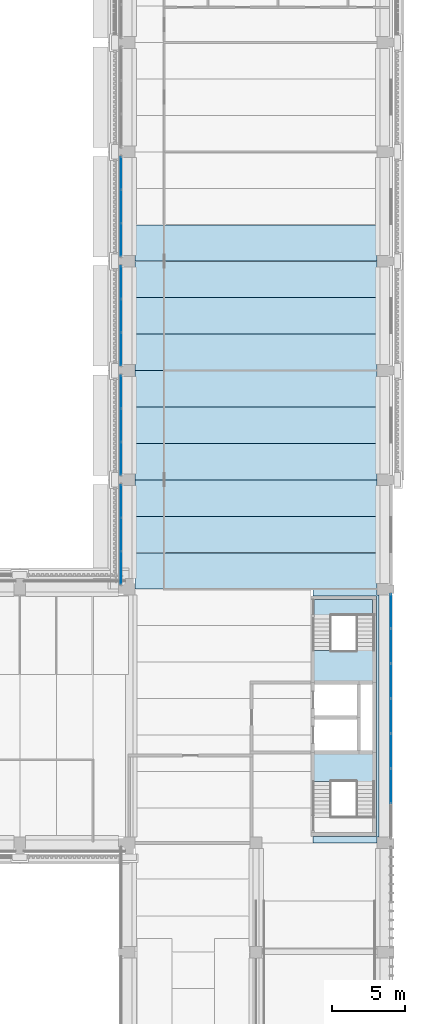
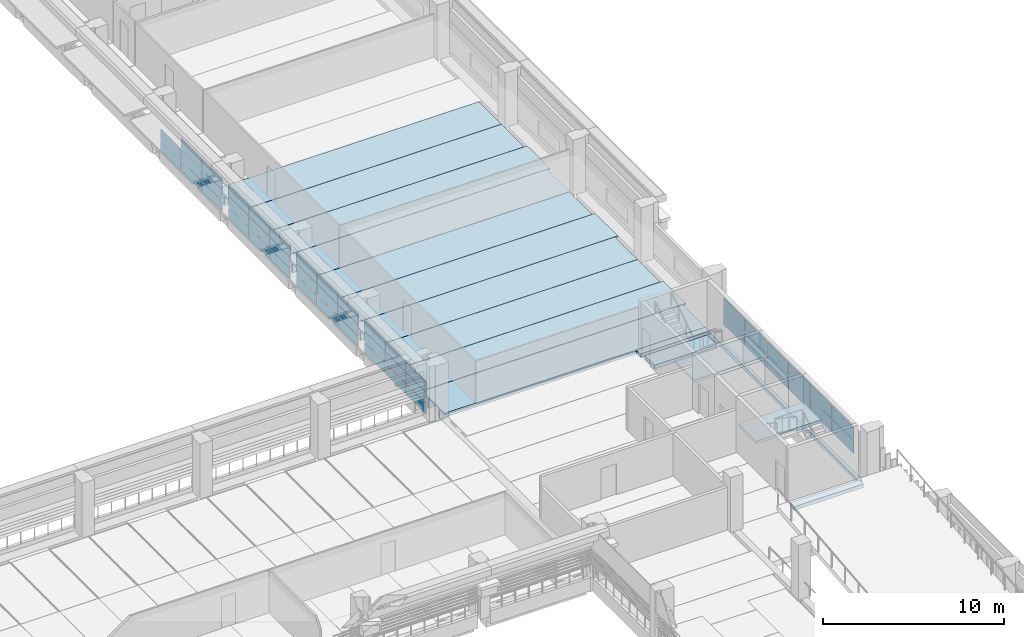
# One storey, part 28 of 71: 47 plates, 14 slabs, 7 elements without a shape of their own.
"""IFC4 building model written with IfcOpenShell, lengths in metres."""

from ifc_helpers import new_model, si_unit, direction, frame, origin, origin_2d, place, context, subcontext, project, spatial, polyline, rectangle, outline, extrude, material, layer, layer_set, material_profile, profile_set, type_object, element, aggregate, save


model = new_model("IFC4")

# Units and contexts
model_context = context("Model", 3, precision=1e-05, world=origin(), true_north=direction((0.0, 1.0)))
body_context = subcontext(model_context, "Body", "Model", "MODEL_VIEW")
ifc_project = project(units=[si_unit("LENGTHUNIT", "METRE"), si_unit("AREAUNIT", "SQUARE_METRE"), si_unit("VOLUMEUNIT", "CUBIC_METRE"), si_unit("PLANEANGLEUNIT", "RADIAN"), si_unit("MASSUNIT", "GRAM", prefix="KILO")], contexts=[model_context])

# Site, building, storey
site_placement = place(None, origin())
site = spatial("IfcSite", under=ifc_project, at=site_placement, CompositionType="ELEMENT")
building_placement = place(site_placement, origin())
building = spatial("IfcBuilding", under=site, at=building_placement, Name="Cour d'Honneur Mobility Palace", CompositionType="ELEMENT")
storey_placement = place(building_placement, frame((0.0, 0.0, 15.60009765625)))
storey = spatial("IfcBuildingStorey", under=building, at=storey_placement, Name="L04", CompositionType="ELEMENT", Elevation=15.60009765625)

# Slabs
ifc_material_1 = material(Name="Concrete C50", Category="concrete")
ifc_layer_1 = layer(ifc_material_1, 0.25)
ifc_layer_set_1 = layer_set([ifc_layer_1], Name="Concrete C50")
slab_type_1 = type_object("IfcSlabType", Name="Cast-in-place Slab 250", PredefinedType="FLOOR", material=ifc_layer_set_1)
slab_1_placement = place(storey_placement, frame((0.0, 0.0, -0.25)))
element("IfcSlab", 1, at=slab_1_placement, inside=storey, type_object=slab_type_1, Name="Cast-in-place slab S1 L04 core", PredefinedType="FLOOR", context=body_context, shape_type="SweptSolid", body=[
    extrude(outline(polyline([(161.89990234375, 62.0), (162.050048828125, 62.0), (162.050048828125, 45.39990234375), (161.89990234375, 45.39990234375), (161.89990234375, 45.0), (157.5, 45.0), (157.5, 45.449951171875), (161.85009765625, 45.449951171875), (161.85009765625, 61.949951171875), (157.5, 61.949951171875), (157.5, 62.39990234375), (161.89990234375, 62.39990234375), (161.89990234375, 62.0)])), origin(), (0.0, 0.0, 1.0), 0.25),
])
slab_2_placement = place(storey_placement, frame((0.0, 0.0, -0.25)))
element("IfcSlab", 2, at=slab_2_placement, inside=storey, type_object=slab_type_1, Name="Cast-in-place slab S1 L04 core", PredefinedType="FLOOR", context=body_context, shape_type="SweptSolid", body=[
    extrude(outline(polyline([(161.60009765625, 61.699951171875), (161.60009765625, 60.625), (157.625, 60.625), (157.625, 61.699951171875), (161.60009765625, 61.699951171875)])), origin(), (0.0, 0.0, 1.0), 0.25),
])

# Curtain wall, plates
ifc_material_2 = material(Name="Aluminium and glass", Category="aluminium")
ifc_layer_2 = layer(ifc_material_2, 0.10009765625)
ifc_layer_set_2 = layer_set([ifc_layer_2], Name="Aluminium and glass")
curtain_wall_type = type_object("IfcCurtainWallType", Name="Curtain wall run", PredefinedType="NOTDEFINED", material=ifc_layer_set_2)
curtain_wall_1_placement = place(storey_placement, origin())
curtain_wall_1 = element("IfcCurtainWall", 3, at=curtain_wall_1_placement, inside=storey, type_object=curtain_wall_type, Name="Curtain wall CW-68", PredefinedType="NOTDEFINED")
ifc_material_3 = material(Name="Double glazing", Category="glass")
ifc_layer_3 = layer(ifc_material_3, 0.028076171875)
ifc_layer_set_3 = layer_set([ifc_layer_3], Name="Double glazing")
plate_type = type_object("IfcPlateType", Name="Curtain wall panel", PredefinedType="CURTAIN_PANEL", material=ifc_layer_set_3)
plate_1_placement = place(storey_placement, frame((144.35009765625, 90.93505859375, 0.059814453125), z_axis=(0.0, 0.0, 1.0), x_axis=(0.0, -1.0, 0.0)))
plate_1 = element("IfcPlate", 4, at=plate_1_placement, type_object=plate_type, Name="CW-68 panel 1.1", PredefinedType="CURTAIN_PANEL", context=body_context, shape_type="SweptSolid", body=[
    extrude(rectangle(XDim=2.2099609375, YDim=0.028076171875, at=origin_2d()), origin(), (0.0, 0.0, 1.0), 0.6767578125),
])
plate_2_placement = place(storey_placement, frame((144.35009765625, 90.93505859375, 0.79638671875), z_axis=(0.0, 0.0, 1.0), x_axis=(0.0, -1.0, 0.0)))
plate_2 = element("IfcPlate", 5, at=plate_2_placement, type_object=plate_type, Name="CW-68 panel 1.2", PredefinedType="CURTAIN_PANEL", context=body_context, shape_type="SweptSolid", body=[
    extrude(rectangle(XDim=2.2099609375, YDim=0.028076171875, at=origin_2d()), origin(), (0.0, 0.0, 1.0), 0.706787109375),
])
plate_3_placement = place(storey_placement, frame((144.35009765625, 88.64990234375, 0.059814453125), z_axis=(0.0, 0.0, 1.0), x_axis=(0.0, -1.0, 0.0)))
plate_3 = element("IfcPlate", 6, at=plate_3_placement, type_object=plate_type, Name="CW-68 panel 2.1", PredefinedType="CURTAIN_PANEL", context=body_context, shape_type="SweptSolid", body=[
    extrude(rectangle(XDim=2.239990234375, YDim=0.028076171875, at=origin_2d()), origin(), (0.0, 0.0, 1.0), 0.6767578125),
])
plate_4_placement = place(storey_placement, frame((144.35009765625, 88.64990234375, 0.79638671875), z_axis=(0.0, 0.0, 1.0), x_axis=(0.0, -1.0, 0.0)))
plate_4 = element("IfcPlate", 7, at=plate_4_placement, type_object=plate_type, Name="CW-68 panel 2.2", PredefinedType="CURTAIN_PANEL", context=body_context, shape_type="SweptSolid", body=[
    extrude(rectangle(XDim=2.239990234375, YDim=0.028076171875, at=origin_2d()), origin(), (0.0, 0.0, 1.0), 0.706787109375),
])
plate_5_placement = place(storey_placement, frame((144.35009765625, 88.64990234375, 1.563232421875), z_axis=(0.0, 0.0, 1.0), x_axis=(0.0, -1.0, 0.0)))
plate_5 = element("IfcPlate", 8, at=plate_5_placement, type_object=plate_type, Name="CW-68 panel 2.3", PredefinedType="CURTAIN_PANEL", context=body_context, shape_type="SweptSolid", body=[
    extrude(rectangle(XDim=2.239990234375, YDim=0.028076171875, at=origin_2d()), origin(), (0.0, 0.0, 1.0), 0.6767578125),
])
plate_6_placement = place(storey_placement, frame((144.35009765625, 86.364990234375, 0.059814453125), z_axis=(0.0, 0.0, 1.0), x_axis=(0.0, -1.0, 0.0)))
plate_6 = element("IfcPlate", 9, at=plate_6_placement, type_object=plate_type, Name="CW-68 panel 3.1", PredefinedType="CURTAIN_PANEL", context=body_context, shape_type="SweptSolid", body=[
    extrude(rectangle(XDim=2.2099609375, YDim=0.028076171875, at=origin_2d()), origin(), (0.0, 0.0, 1.0), 0.6767578125),
])
plate_7_placement = place(storey_placement, frame((144.35009765625, 86.364990234375, 0.79638671875), z_axis=(0.0, 0.0, 1.0), x_axis=(0.0, -1.0, 0.0)))
plate_7 = element("IfcPlate", 10, at=plate_7_placement, type_object=plate_type, Name="CW-68 panel 3.2", PredefinedType="CURTAIN_PANEL", context=body_context, shape_type="SweptSolid", body=[
    extrude(rectangle(XDim=2.2099609375, YDim=0.028076171875, at=origin_2d()), origin(), (0.0, 0.0, 1.0), 0.706787109375),
])
plate_8_placement = place(storey_placement, frame((144.35009765625, 86.364990234375, 1.563232421875), z_axis=(0.0, 0.0, 1.0), x_axis=(0.0, -1.0, 0.0)))
plate_8 = element("IfcPlate", 11, at=plate_8_placement, type_object=plate_type, Name="CW-68 panel 3.3", PredefinedType="CURTAIN_PANEL", context=body_context, shape_type="SweptSolid", body=[
    extrude(rectangle(XDim=2.2099609375, YDim=0.028076171875, at=origin_2d()), origin(), (0.0, 0.0, 1.0), 0.6767578125),
])
aggregate(curtain_wall_1, [plate_1, plate_2, plate_3, plate_4, plate_5, plate_6, plate_7, plate_8])

curtain_wall_2_placement = place(storey_placement, origin())
curtain_wall_2 = element("IfcCurtainWall", 12, at=curtain_wall_2_placement, inside=storey, type_object=curtain_wall_type, Name="Curtain wall CW-69", PredefinedType="NOTDEFINED")
plate_9_placement = place(storey_placement, frame((144.35009765625, 83.43505859375, 0.059814453125), z_axis=(0.0, 0.0, 1.0), x_axis=(0.0, -1.0, 0.0)))
plate_9 = element("IfcPlate", 13, at=plate_9_placement, type_object=plate_type, Name="CW-69 panel 1.1", PredefinedType="CURTAIN_PANEL", context=body_context, shape_type="SweptSolid", body=[
    extrude(rectangle(XDim=2.2099609375, YDim=0.028076171875, at=origin_2d()), origin(), (0.0, 0.0, 1.0), 0.6767578125),
])
plate_10_placement = place(storey_placement, frame((144.35009765625, 83.43505859375, 0.79638671875), z_axis=(0.0, 0.0, 1.0), x_axis=(0.0, -1.0, 0.0)))
plate_10 = element("IfcPlate", 14, at=plate_10_placement, type_object=plate_type, Name="CW-69 panel 1.2", PredefinedType="CURTAIN_PANEL", context=body_context, shape_type="SweptSolid", body=[
    extrude(rectangle(XDim=2.2099609375, YDim=0.028076171875, at=origin_2d()), origin(), (0.0, 0.0, 1.0), 0.706787109375),
])
plate_11_placement = place(storey_placement, frame((144.35009765625, 83.43505859375, 1.563232421875), z_axis=(0.0, 0.0, 1.0), x_axis=(0.0, -1.0, 0.0)))
plate_11 = element("IfcPlate", 15, at=plate_11_placement, type_object=plate_type, Name="CW-69 panel 1.3", PredefinedType="CURTAIN_PANEL", context=body_context, shape_type="SweptSolid", body=[
    extrude(rectangle(XDim=2.2099609375, YDim=0.028076171875, at=origin_2d()), origin(), (0.0, 0.0, 1.0), 0.6767578125),
])
plate_12_placement = place(storey_placement, frame((144.35009765625, 81.14990234375, 0.059814453125), z_axis=(0.0, 0.0, 1.0), x_axis=(0.0, -1.0, 0.0)))
plate_12 = element("IfcPlate", 16, at=plate_12_placement, type_object=plate_type, Name="CW-69 panel 2.1", PredefinedType="CURTAIN_PANEL", context=body_context, shape_type="SweptSolid", body=[
    extrude(rectangle(XDim=2.239990234375, YDim=0.028076171875, at=origin_2d()), origin(), (0.0, 0.0, 1.0), 0.6767578125),
])
plate_13_placement = place(storey_placement, frame((144.35009765625, 81.14990234375, 0.79638671875), z_axis=(0.0, 0.0, 1.0), x_axis=(0.0, -1.0, 0.0)))
plate_13 = element("IfcPlate", 17, at=plate_13_placement, type_object=plate_type, Name="CW-69 panel 2.2", PredefinedType="CURTAIN_PANEL", context=body_context, shape_type="SweptSolid", body=[
    extrude(rectangle(XDim=2.239990234375, YDim=0.028076171875, at=origin_2d()), origin(), (0.0, 0.0, 1.0), 0.706787109375),
])
plate_14_placement = place(storey_placement, frame((144.35009765625, 81.14990234375, 1.563232421875), z_axis=(0.0, 0.0, 1.0), x_axis=(0.0, -1.0, 0.0)))
plate_14 = element("IfcPlate", 18, at=plate_14_placement, type_object=plate_type, Name="CW-69 panel 2.3", PredefinedType="CURTAIN_PANEL", context=body_context, shape_type="SweptSolid", body=[
    extrude(rectangle(XDim=2.239990234375, YDim=0.028076171875, at=origin_2d()), origin(), (0.0, 0.0, 1.0), 0.6767578125),
])
plate_15_placement = place(storey_placement, frame((144.35009765625, 78.864990234375, 0.059814453125), z_axis=(0.0, 0.0, 1.0), x_axis=(0.0, -1.0, 0.0)))
plate_15 = element("IfcPlate", 19, at=plate_15_placement, type_object=plate_type, Name="CW-69 panel 3.1", PredefinedType="CURTAIN_PANEL", context=body_context, shape_type="SweptSolid", body=[
    extrude(rectangle(XDim=2.2099609375, YDim=0.028076171875, at=origin_2d()), origin(), (0.0, 0.0, 1.0), 0.6767578125),
])
plate_16_placement = place(storey_placement, frame((144.35009765625, 78.864990234375, 0.79638671875), z_axis=(0.0, 0.0, 1.0), x_axis=(0.0, -1.0, 0.0)))
plate_16 = element("IfcPlate", 20, at=plate_16_placement, type_object=plate_type, Name="CW-69 panel 3.2", PredefinedType="CURTAIN_PANEL", context=body_context, shape_type="SweptSolid", body=[
    extrude(rectangle(XDim=2.2099609375, YDim=0.028076171875, at=origin_2d()), origin(), (0.0, 0.0, 1.0), 0.706787109375),
])
plate_17_placement = place(storey_placement, frame((144.35009765625, 78.864990234375, 1.563232421875), z_axis=(0.0, 0.0, 1.0), x_axis=(0.0, -1.0, 0.0)))
plate_17 = element("IfcPlate", 21, at=plate_17_placement, type_object=plate_type, Name="CW-69 panel 3.3", PredefinedType="CURTAIN_PANEL", context=body_context, shape_type="SweptSolid", body=[
    extrude(rectangle(XDim=2.2099609375, YDim=0.028076171875, at=origin_2d()), origin(), (0.0, 0.0, 1.0), 0.6767578125),
])
aggregate(curtain_wall_2, [plate_9, plate_10, plate_11, plate_12, plate_13, plate_14, plate_15, plate_16, plate_17])

curtain_wall_3_placement = place(storey_placement, origin())
curtain_wall_3 = element("IfcCurtainWall", 22, at=curtain_wall_3_placement, inside=storey, type_object=curtain_wall_type, Name="Curtain wall CW-70", PredefinedType="NOTDEFINED")
plate_18_placement = place(storey_placement, frame((144.35009765625, 75.93505859375, 0.059814453125), z_axis=(0.0, 0.0, 1.0), x_axis=(0.0, -1.0, 0.0)))
plate_18 = element("IfcPlate", 23, at=plate_18_placement, type_object=plate_type, Name="CW-70 panel 1.1", PredefinedType="CURTAIN_PANEL", context=body_context, shape_type="SweptSolid", body=[
    extrude(rectangle(XDim=2.2099609375, YDim=0.028076171875, at=origin_2d()), origin(), (0.0, 0.0, 1.0), 0.6767578125),
])
plate_19_placement = place(storey_placement, frame((144.35009765625, 75.93505859375, 0.79638671875), z_axis=(0.0, 0.0, 1.0), x_axis=(0.0, -1.0, 0.0)))
plate_19 = element("IfcPlate", 24, at=plate_19_placement, type_object=plate_type, Name="CW-70 panel 1.2", PredefinedType="CURTAIN_PANEL", context=body_context, shape_type="SweptSolid", body=[
    extrude(rectangle(XDim=2.2099609375, YDim=0.028076171875, at=origin_2d()), origin(), (0.0, 0.0, 1.0), 0.706787109375),
])
plate_20_placement = place(storey_placement, frame((144.35009765625, 75.93505859375, 1.563232421875), z_axis=(0.0, 0.0, 1.0), x_axis=(0.0, -1.0, 0.0)))
plate_20 = element("IfcPlate", 25, at=plate_20_placement, type_object=plate_type, Name="CW-70 panel 1.3", PredefinedType="CURTAIN_PANEL", context=body_context, shape_type="SweptSolid", body=[
    extrude(rectangle(XDim=2.2099609375, YDim=0.028076171875, at=origin_2d()), origin(), (0.0, 0.0, 1.0), 0.6767578125),
])
plate_21_placement = place(storey_placement, frame((144.35009765625, 73.64990234375, 0.059814453125), z_axis=(0.0, 0.0, 1.0), x_axis=(0.0, -1.0, 0.0)))
plate_21 = element("IfcPlate", 26, at=plate_21_placement, type_object=plate_type, Name="CW-70 panel 2.1", PredefinedType="CURTAIN_PANEL", context=body_context, shape_type="SweptSolid", body=[
    extrude(rectangle(XDim=2.239990234375, YDim=0.028076171875, at=origin_2d()), origin(), (0.0, 0.0, 1.0), 0.6767578125),
])
plate_22_placement = place(storey_placement, frame((144.35009765625, 73.64990234375, 0.79638671875), z_axis=(0.0, 0.0, 1.0), x_axis=(0.0, -1.0, 0.0)))
plate_22 = element("IfcPlate", 27, at=plate_22_placement, type_object=plate_type, Name="CW-70 panel 2.2", PredefinedType="CURTAIN_PANEL", context=body_context, shape_type="SweptSolid", body=[
    extrude(rectangle(XDim=2.239990234375, YDim=0.028076171875, at=origin_2d()), origin(), (0.0, 0.0, 1.0), 0.706787109375),
])
plate_23_placement = place(storey_placement, frame((144.35009765625, 73.64990234375, 1.563232421875), z_axis=(0.0, 0.0, 1.0), x_axis=(0.0, -1.0, 0.0)))
plate_23 = element("IfcPlate", 28, at=plate_23_placement, type_object=plate_type, Name="CW-70 panel 2.3", PredefinedType="CURTAIN_PANEL", context=body_context, shape_type="SweptSolid", body=[
    extrude(rectangle(XDim=2.239990234375, YDim=0.028076171875, at=origin_2d()), origin(), (0.0, 0.0, 1.0), 0.6767578125),
])
plate_24_placement = place(storey_placement, frame((144.35009765625, 71.364990234375, 0.059814453125), z_axis=(0.0, 0.0, 1.0), x_axis=(0.0, -1.0, 0.0)))
plate_24 = element("IfcPlate", 29, at=plate_24_placement, type_object=plate_type, Name="CW-70 panel 3.1", PredefinedType="CURTAIN_PANEL", context=body_context, shape_type="SweptSolid", body=[
    extrude(rectangle(XDim=2.2099609375, YDim=0.028076171875, at=origin_2d()), origin(), (0.0, 0.0, 1.0), 0.6767578125),
])
plate_25_placement = place(storey_placement, frame((144.35009765625, 71.364990234375, 0.79638671875), z_axis=(0.0, 0.0, 1.0), x_axis=(0.0, -1.0, 0.0)))
plate_25 = element("IfcPlate", 30, at=plate_25_placement, type_object=plate_type, Name="CW-70 panel 3.2", PredefinedType="CURTAIN_PANEL", context=body_context, shape_type="SweptSolid", body=[
    extrude(rectangle(XDim=2.2099609375, YDim=0.028076171875, at=origin_2d()), origin(), (0.0, 0.0, 1.0), 0.706787109375),
])
plate_26_placement = place(storey_placement, frame((144.35009765625, 71.364990234375, 1.563232421875), z_axis=(0.0, 0.0, 1.0), x_axis=(0.0, -1.0, 0.0)))
plate_26 = element("IfcPlate", 31, at=plate_26_placement, type_object=plate_type, Name="CW-70 panel 3.3", PredefinedType="CURTAIN_PANEL", context=body_context, shape_type="SweptSolid", body=[
    extrude(rectangle(XDim=2.2099609375, YDim=0.028076171875, at=origin_2d()), origin(), (0.0, 0.0, 1.0), 0.6767578125),
])
aggregate(curtain_wall_3, [plate_18, plate_19, plate_20, plate_21, plate_22, plate_23, plate_24, plate_25, plate_26])

curtain_wall_4_placement = place(storey_placement, origin())
curtain_wall_4 = element("IfcCurtainWall", 32, at=curtain_wall_4_placement, inside=storey, type_object=curtain_wall_type, Name="Curtain wall CW-71", PredefinedType="NOTDEFINED")
plate_27_placement = place(storey_placement, frame((144.35009765625, 68.43505859375, 0.059814453125), z_axis=(0.0, 0.0, 1.0), x_axis=(0.0, -1.0, 0.0)))
plate_27 = element("IfcPlate", 33, at=plate_27_placement, type_object=plate_type, Name="CW-71 panel 1.1", PredefinedType="CURTAIN_PANEL", context=body_context, shape_type="SweptSolid", body=[
    extrude(rectangle(XDim=2.2099609375, YDim=0.028076171875, at=origin_2d()), origin(), (0.0, 0.0, 1.0), 0.6767578125),
])
plate_28_placement = place(storey_placement, frame((144.35009765625, 68.43505859375, 0.79638671875), z_axis=(0.0, 0.0, 1.0), x_axis=(0.0, -1.0, 0.0)))
plate_28 = element("IfcPlate", 34, at=plate_28_placement, type_object=plate_type, Name="CW-71 panel 1.2", PredefinedType="CURTAIN_PANEL", context=body_context, shape_type="SweptSolid", body=[
    extrude(rectangle(XDim=2.2099609375, YDim=0.028076171875, at=origin_2d()), origin(), (0.0, 0.0, 1.0), 0.706787109375),
])
plate_29_placement = place(storey_placement, frame((144.35009765625, 68.43505859375, 1.563232421875), z_axis=(0.0, 0.0, 1.0), x_axis=(0.0, -1.0, 0.0)))
plate_29 = element("IfcPlate", 35, at=plate_29_placement, type_object=plate_type, Name="CW-71 panel 1.3", PredefinedType="CURTAIN_PANEL", context=body_context, shape_type="SweptSolid", body=[
    extrude(rectangle(XDim=2.2099609375, YDim=0.028076171875, at=origin_2d()), origin(), (0.0, 0.0, 1.0), 0.6767578125),
])
plate_30_placement = place(storey_placement, frame((144.35009765625, 66.14990234375, 0.059814453125), z_axis=(0.0, 0.0, 1.0), x_axis=(0.0, -1.0, 0.0)))
plate_30 = element("IfcPlate", 36, at=plate_30_placement, type_object=plate_type, Name="CW-71 panel 2.1", PredefinedType="CURTAIN_PANEL", context=body_context, shape_type="SweptSolid", body=[
    extrude(rectangle(XDim=2.239990234375, YDim=0.028076171875, at=origin_2d()), origin(), (0.0, 0.0, 1.0), 0.6767578125),
])
plate_31_placement = place(storey_placement, frame((144.35009765625, 66.14990234375, 0.79638671875), z_axis=(0.0, 0.0, 1.0), x_axis=(0.0, -1.0, 0.0)))
plate_31 = element("IfcPlate", 37, at=plate_31_placement, type_object=plate_type, Name="CW-71 panel 2.2", PredefinedType="CURTAIN_PANEL", context=body_context, shape_type="SweptSolid", body=[
    extrude(rectangle(XDim=2.239990234375, YDim=0.028076171875, at=origin_2d()), origin(), (0.0, 0.0, 1.0), 0.706787109375),
])
plate_32_placement = place(storey_placement, frame((144.35009765625, 66.14990234375, 1.563232421875), z_axis=(0.0, 0.0, 1.0), x_axis=(0.0, -1.0, 0.0)))
plate_32 = element("IfcPlate", 38, at=plate_32_placement, type_object=plate_type, Name="CW-71 panel 2.3", PredefinedType="CURTAIN_PANEL", context=body_context, shape_type="SweptSolid", body=[
    extrude(rectangle(XDim=2.239990234375, YDim=0.028076171875, at=origin_2d()), origin(), (0.0, 0.0, 1.0), 0.6767578125),
])
plate_33_placement = place(storey_placement, frame((144.35009765625, 63.864990234375, 0.059814453125), z_axis=(0.0, 0.0, 1.0), x_axis=(0.0, -1.0, 0.0)))
plate_33 = element("IfcPlate", 39, at=plate_33_placement, type_object=plate_type, Name="CW-71 panel 3.1", PredefinedType="CURTAIN_PANEL", context=body_context, shape_type="SweptSolid", body=[
    extrude(rectangle(XDim=2.2099609375, YDim=0.028076171875, at=origin_2d()), origin(), (0.0, 0.0, 1.0), 0.6767578125),
])
plate_34_placement = place(storey_placement, frame((144.35009765625, 63.864990234375, 0.79638671875), z_axis=(0.0, 0.0, 1.0), x_axis=(0.0, -1.0, 0.0)))
plate_34 = element("IfcPlate", 40, at=plate_34_placement, type_object=plate_type, Name="CW-71 panel 3.2", PredefinedType="CURTAIN_PANEL", context=body_context, shape_type="SweptSolid", body=[
    extrude(rectangle(XDim=2.2099609375, YDim=0.028076171875, at=origin_2d()), origin(), (0.0, 0.0, 1.0), 0.706787109375),
])
plate_35_placement = place(storey_placement, frame((144.35009765625, 63.864990234375, 1.563232421875), z_axis=(0.0, 0.0, 1.0), x_axis=(0.0, -1.0, 0.0)))
plate_35 = element("IfcPlate", 41, at=plate_35_placement, type_object=plate_type, Name="CW-71 panel 3.3", PredefinedType="CURTAIN_PANEL", context=body_context, shape_type="SweptSolid", body=[
    extrude(rectangle(XDim=2.2099609375, YDim=0.028076171875, at=origin_2d()), origin(), (0.0, 0.0, 1.0), 0.6767578125),
])
aggregate(curtain_wall_4, [plate_27, plate_28, plate_29, plate_30, plate_31, plate_32, plate_33, plate_34, plate_35])

curtain_wall_5_placement = place(storey_placement, origin())
curtain_wall_5 = element("IfcCurtainWall", 42, at=curtain_wall_5_placement, inside=storey, type_object=curtain_wall_type, Name="Curtain wall CW-90", PredefinedType="NOTDEFINED")
plate_36_placement = place(storey_placement, frame((162.85009765625, 48.89990234375, 0.06005859375), z_axis=(0.0, 0.0, 1.0), x_axis=(0.0, 1.0, 0.0)))
plate_36 = element("IfcPlate", 43, at=plate_36_placement, type_object=plate_type, Name="CW-90 panel 2.1", PredefinedType="CURTAIN_PANEL", context=body_context, shape_type="SweptSolid", body=[
    extrude(rectangle(XDim=2.340087890625, YDim=0.028076171875, at=origin_2d()), origin(), (0.0, 0.0, 1.0), 0.860107421875),
])
plate_37_placement = place(storey_placement, frame((162.85009765625, 48.89990234375, 0.97998046875), z_axis=(0.0, 0.0, 1.0), x_axis=(0.0, 1.0, 0.0)))
plate_37 = element("IfcPlate", 44, at=plate_37_placement, type_object=plate_type, Name="CW-90 panel 2.2", PredefinedType="CURTAIN_PANEL", context=body_context, shape_type="SweptSolid", body=[
    extrude(rectangle(XDim=2.340087890625, YDim=0.028076171875, at=origin_2d()), origin(), (0.0, 0.0, 1.0), 0.860107421875),
])
plate_38_placement = place(storey_placement, frame((162.85009765625, 51.300048828125, 0.06005859375), z_axis=(0.0, 0.0, 1.0), x_axis=(0.0, 1.0, 0.0)))
plate_38 = element("IfcPlate", 45, at=plate_38_placement, type_object=plate_type, Name="CW-90 panel 3.1", PredefinedType="CURTAIN_PANEL", context=body_context, shape_type="SweptSolid", body=[
    extrude(rectangle(XDim=2.340087890625, YDim=0.028076171875, at=origin_2d()), origin(), (0.0, 0.0, 1.0), 0.860107421875),
])
plate_39_placement = place(storey_placement, frame((162.85009765625, 51.300048828125, 0.97998046875), z_axis=(0.0, 0.0, 1.0), x_axis=(0.0, 1.0, 0.0)))
plate_39 = element("IfcPlate", 46, at=plate_39_placement, type_object=plate_type, Name="CW-90 panel 3.2", PredefinedType="CURTAIN_PANEL", context=body_context, shape_type="SweptSolid", body=[
    extrude(rectangle(XDim=2.340087890625, YDim=0.028076171875, at=origin_2d()), origin(), (0.0, 0.0, 1.0), 0.860107421875),
])
plate_40_placement = place(storey_placement, frame((162.85009765625, 53.699951171875, 0.06005859375), z_axis=(0.0, 0.0, 1.0), x_axis=(0.0, 1.0, 0.0)))
plate_40 = element("IfcPlate", 47, at=plate_40_placement, type_object=plate_type, Name="CW-90 panel 4.1", PredefinedType="CURTAIN_PANEL", context=body_context, shape_type="SweptSolid", body=[
    extrude(rectangle(XDim=2.340087890625, YDim=0.028076171875, at=origin_2d()), origin(), (0.0, 0.0, 1.0), 0.860107421875),
])
plate_41_placement = place(storey_placement, frame((162.85009765625, 53.699951171875, 0.97998046875), z_axis=(0.0, 0.0, 1.0), x_axis=(0.0, 1.0, 0.0)))
plate_41 = element("IfcPlate", 48, at=plate_41_placement, type_object=plate_type, Name="CW-90 panel 4.2", PredefinedType="CURTAIN_PANEL", context=body_context, shape_type="SweptSolid", body=[
    extrude(rectangle(XDim=2.340087890625, YDim=0.028076171875, at=origin_2d()), origin(), (0.0, 0.0, 1.0), 0.860107421875),
])
plate_42_placement = place(storey_placement, frame((162.85009765625, 56.10009765625, 0.06005859375), z_axis=(0.0, 0.0, 1.0), x_axis=(0.0, 1.0, 0.0)))
plate_42 = element("IfcPlate", 49, at=plate_42_placement, type_object=plate_type, Name="CW-90 panel 5.1", PredefinedType="CURTAIN_PANEL", context=body_context, shape_type="SweptSolid", body=[
    extrude(rectangle(XDim=2.340087890625, YDim=0.028076171875, at=origin_2d()), origin(), (0.0, 0.0, 1.0), 0.860107421875),
])
plate_43_placement = place(storey_placement, frame((162.85009765625, 56.10009765625, 0.97998046875), z_axis=(0.0, 0.0, 1.0), x_axis=(0.0, 1.0, 0.0)))
plate_43 = element("IfcPlate", 50, at=plate_43_placement, type_object=plate_type, Name="CW-90 panel 5.2", PredefinedType="CURTAIN_PANEL", context=body_context, shape_type="SweptSolid", body=[
    extrude(rectangle(XDim=2.340087890625, YDim=0.028076171875, at=origin_2d()), origin(), (0.0, 0.0, 1.0), 0.860107421875),
])
plate_44_placement = place(storey_placement, frame((162.85009765625, 58.5, 0.06005859375), z_axis=(0.0, 0.0, 1.0), x_axis=(0.0, 1.0, 0.0)))
plate_44 = element("IfcPlate", 51, at=plate_44_placement, type_object=plate_type, Name="CW-90 panel 6.1", PredefinedType="CURTAIN_PANEL", context=body_context, shape_type="SweptSolid", body=[
    extrude(rectangle(XDim=2.340087890625, YDim=0.028076171875, at=origin_2d()), origin(), (0.0, 0.0, 1.0), 0.860107421875),
])
plate_45_placement = place(storey_placement, frame((162.85009765625, 58.5, 0.97998046875), z_axis=(0.0, 0.0, 1.0), x_axis=(0.0, 1.0, 0.0)))
plate_45 = element("IfcPlate", 52, at=plate_45_placement, type_object=plate_type, Name="CW-90 panel 6.2", PredefinedType="CURTAIN_PANEL", context=body_context, shape_type="SweptSolid", body=[
    extrude(rectangle(XDim=2.340087890625, YDim=0.028076171875, at=origin_2d()), origin(), (0.0, 0.0, 1.0), 0.860107421875),
])
plate_46_placement = place(storey_placement, frame((162.85009765625, 60.885009765625, 0.06005859375), z_axis=(0.0, 0.0, 1.0), x_axis=(0.0, 1.0, 0.0)))
plate_46 = element("IfcPlate", 53, at=plate_46_placement, type_object=plate_type, Name="CW-90 panel 7.1", PredefinedType="CURTAIN_PANEL", context=body_context, shape_type="SweptSolid", body=[
    extrude(rectangle(XDim=2.31005859375, YDim=0.028076171875, at=origin_2d()), origin(), (0.0, 0.0, 1.0), 0.860107421875),
])
plate_47_placement = place(storey_placement, frame((162.85009765625, 60.885009765625, 0.97998046875), z_axis=(0.0, 0.0, 1.0), x_axis=(0.0, 1.0, 0.0)))
plate_47 = element("IfcPlate", 54, at=plate_47_placement, type_object=plate_type, Name="CW-90 panel 7.2", PredefinedType="CURTAIN_PANEL", context=body_context, shape_type="SweptSolid", body=[
    extrude(rectangle(XDim=2.31005859375, YDim=0.028076171875, at=origin_2d()), origin(), (0.0, 0.0, 1.0), 0.860107421875),
])
aggregate(curtain_wall_5, [plate_36, plate_37, plate_38, plate_39, plate_40, plate_41, plate_42, plate_43, plate_44, plate_45, plate_46, plate_47])

# Slabs
ifc_material_4 = material(Name="Concrete C45", Category="concrete")
ifc_material_profile = material_profile(ifc_material_4, outline(polyline([(-1.2451171875, 0.0), (1.2451171875, 0.0), (1.2451171875, -0.10009765625), (0.679931640625, -0.10009765625), (0.64990234375, -0.75), (0.550048828125, -0.75), (0.52001953125, -0.10009765625), (-0.52001953125, -0.10009765625), (-0.550048828125, -0.75), (-0.64990234375, -0.75), (-0.679931640625, -0.10009765625), (-1.2451171875, -0.10009765625), (-1.2451171875, 0.0)])), Name="DT 2490x750")
ifc_profile_set = profile_set([ifc_material_profile], Name="Concrete C45")
slab_type_2 = type_object("IfcSlabType", Name="DT 2490x750", PredefinedType="FLOOR", material=ifc_profile_set)
slab_3_placement = place(storey_placement, frame((145.300048828125, 63.64990234375, 0.0), z_axis=(1.0, 0.0, 0.0), x_axis=(0.0, 1.0, 0.0)))
element("IfcSlab", 55, at=slab_3_placement, inside=storey, type_object=slab_type_2, Name="Double tee DT-NE1 L04", PredefinedType="FLOOR", context=body_context, shape_type="SweptSolid", body=[
    extrude(outline(polyline([(-1.2451171875, 0.0), (1.2451171875, 0.0), (1.2451171875, -0.10009765625), (0.679931640625, -0.10009765625), (0.64990234375, -0.75), (0.550048828125, -0.75), (0.52001953125, -0.10009765625), (-0.52001953125, -0.10009765625), (-0.550048828125, -0.75), (-0.64990234375, -0.75), (-0.679931640625, -0.10009765625), (-1.2451171875, -0.10009765625), (-1.2451171875, 0.0)])), origin(), (0.0, 0.0, 1.0), 16.599853515625),
])
slab_4_placement = place(storey_placement, frame((145.10009765625, 66.14990234375, 0.0), z_axis=(1.0, 0.0, 0.0), x_axis=(0.0, 1.0, 0.0)))
element("IfcSlab", 56, at=slab_4_placement, inside=storey, type_object=slab_type_2, Name="Double tee DT-NE2 L04", PredefinedType="FLOOR", context=body_context, shape_type="SweptSolid", body=[
    extrude(outline(polyline([(-1.2451171875, 0.0), (1.2451171875, 0.0), (1.2451171875, -0.10009765625), (0.679931640625, -0.10009765625), (0.64990234375, -0.75), (0.550048828125, -0.75), (0.52001953125, -0.10009765625), (-0.52001953125, -0.10009765625), (-0.550048828125, -0.75), (-0.64990234375, -0.75), (-0.679931640625, -0.10009765625), (-1.2451171875, -0.10009765625), (-1.2451171875, 0.0)])), origin(), (0.0, 0.0, 1.0), 17.0),
])
for number, where, z_axis, x_axis, name in (
    (57, (145.300048828125, 68.64990234375, 0.0), (1.0, 0.0, 0.0), (0.0, 1.0, 0.0), "Double tee DT-NE3 L04"),
    (58, (145.300048828125, 71.14990234375, 0.0), (1.0, 0.0, 0.0), (0.0, 1.0, 0.0), "Double tee DT-NE4 L04"),
):
    element("IfcSlab", number, at=place(storey_placement, frame(where, z_axis=z_axis, x_axis=x_axis)), inside=storey, type_object=slab_type_2, Name=name, PredefinedType="FLOOR", context=body_context, shape_type="SweptSolid", body=[
        extrude(outline(polyline([(-1.2451171875, 0.0), (1.2451171875, 0.0), (1.2451171875, -0.10009765625), (0.679931640625, -0.10009765625), (0.64990234375, -0.75), (0.550048828125, -0.75), (0.52001953125, -0.10009765625), (-0.52001953125, -0.10009765625), (-0.550048828125, -0.75), (-0.64990234375, -0.75), (-0.679931640625, -0.10009765625), (-1.2451171875, -0.10009765625), (-1.2451171875, 0.0)])), origin(), (0.0, 0.0, 1.0), 16.599853515625),
    ])
slab_5_placement = place(storey_placement, frame((145.10009765625, 73.64990234375, 0.0), z_axis=(1.0, 0.0, 0.0), x_axis=(0.0, 1.0, 0.0)))
element("IfcSlab", 59, at=slab_5_placement, inside=storey, type_object=slab_type_2, Name="Double tee DT-NE5 L04", PredefinedType="FLOOR", context=body_context, shape_type="SweptSolid", body=[
    extrude(outline(polyline([(-1.2451171875, 0.0), (1.2451171875, 0.0), (1.2451171875, -0.10009765625), (0.679931640625, -0.10009765625), (0.64990234375, -0.75), (0.550048828125, -0.75), (0.52001953125, -0.10009765625), (-0.52001953125, -0.10009765625), (-0.550048828125, -0.75), (-0.64990234375, -0.75), (-0.679931640625, -0.10009765625), (-1.2451171875, -0.10009765625), (-1.2451171875, 0.0)])), origin(), (0.0, 0.0, 1.0), 17.0),
])
for number, where, z_axis, x_axis, name in (
    (60, (145.300048828125, 76.14990234375, 0.0), (1.0, 0.0, 0.0), (0.0, 1.0, 0.0), "Double tee DT-NE6 L04"),
    (61, (145.300048828125, 78.64990234375, 0.0), (1.0, 0.0, 0.0), (0.0, 1.0, 0.0), "Double tee DT-NE7 L04"),
):
    element("IfcSlab", number, at=place(storey_placement, frame(where, z_axis=z_axis, x_axis=x_axis)), inside=storey, type_object=slab_type_2, Name=name, PredefinedType="FLOOR", context=body_context, shape_type="SweptSolid", body=[
        extrude(outline(polyline([(-1.2451171875, 0.0), (1.2451171875, 0.0), (1.2451171875, -0.10009765625), (0.679931640625, -0.10009765625), (0.64990234375, -0.75), (0.550048828125, -0.75), (0.52001953125, -0.10009765625), (-0.52001953125, -0.10009765625), (-0.550048828125, -0.75), (-0.64990234375, -0.75), (-0.679931640625, -0.10009765625), (-1.2451171875, -0.10009765625), (-1.2451171875, 0.0)])), origin(), (0.0, 0.0, 1.0), 16.599853515625),
    ])
slab_6_placement = place(storey_placement, frame((145.10009765625, 81.14990234375, 0.0), z_axis=(1.0, 0.0, 0.0), x_axis=(0.0, 1.0, 0.0)))
element("IfcSlab", 62, at=slab_6_placement, inside=storey, type_object=slab_type_2, Name="Double tee DT-NE8 L04", PredefinedType="FLOOR", context=body_context, shape_type="SweptSolid", body=[
    extrude(outline(polyline([(-1.2451171875, 0.0), (1.2451171875, 0.0), (1.2451171875, -0.10009765625), (0.679931640625, -0.10009765625), (0.64990234375, -0.75), (0.550048828125, -0.75), (0.52001953125, -0.10009765625), (-0.52001953125, -0.10009765625), (-0.550048828125, -0.75), (-0.64990234375, -0.75), (-0.679931640625, -0.10009765625), (-1.2451171875, -0.10009765625), (-1.2451171875, 0.0)])), origin(), (0.0, 0.0, 1.0), 17.0),
])
for number, where, z_axis, x_axis, name in (
    (63, (145.300048828125, 83.64990234375, 0.0), (1.0, 0.0, 0.0), (0.0, 1.0, 0.0), "Double tee DT-NE9 L04"),
    (64, (145.300048828125, 86.14990234375, 0.0), (1.0, 0.0, 0.0), (0.0, 1.0, 0.0), "Double tee DT-NE10 L04"),
):
    element("IfcSlab", number, at=place(storey_placement, frame(where, z_axis=z_axis, x_axis=x_axis)), inside=storey, type_object=slab_type_2, Name=name, PredefinedType="FLOOR", context=body_context, shape_type="SweptSolid", body=[
        extrude(outline(polyline([(-1.2451171875, 0.0), (1.2451171875, 0.0), (1.2451171875, -0.10009765625), (0.679931640625, -0.10009765625), (0.64990234375, -0.75), (0.550048828125, -0.75), (0.52001953125, -0.10009765625), (-0.52001953125, -0.10009765625), (-0.550048828125, -0.75), (-0.64990234375, -0.75), (-0.679931640625, -0.10009765625), (-1.2451171875, -0.10009765625), (-1.2451171875, 0.0)])), origin(), (0.0, 0.0, 1.0), 16.599853515625),
    ])

# Stair, slab
ifc_material_5 = material(Name="Concrete C50", Category="concrete")
stair_type = type_object("IfcStairType", Name="Stair 20 risers", PredefinedType="HALF_TURN_STAIR", material=ifc_material_5)
stair_1_placement = place(storey_placement, origin())
stair_1 = element("IfcStair", 65, at=stair_1_placement, inside=storey, type_object=stair_type, Name="Stair ST-CE1", PredefinedType="HALF_TURN_STAIR")
ifc_material_6 = material(Name="Concrete C50", Category="concrete")
ifc_layer_4 = layer(ifc_material_6, 0.199951171875)
ifc_layer_set_4 = layer_set([ifc_layer_4], Name="Concrete C50")
slab_type_3 = type_object("IfcSlabType", Name="Stair landing", PredefinedType="LANDING", material=ifc_layer_set_4)
slab_7_placement = place(storey_placement, frame((0.0, 0.0, 1.64990234375)))
slab_7 = element("IfcSlab", 66, at=slab_7_placement, type_object=slab_type_3, Name="ST-CE1 landing 1", PredefinedType="LANDING", context=body_context, shape_type="SweptSolid", body=[
    extrude(outline(polyline([(157.5, 49.205078125), (161.72509765625, 49.205078125), (161.72509765625, 51.199951171875), (157.5, 51.199951171875), (157.5, 49.205078125)])), origin(), (0.0, 0.0, 1.0), 0.199951171875),
])
aggregate(stair_1, [slab_7])

stair_2_placement = place(storey_placement, origin())
stair_2 = element("IfcStair", 67, at=stair_2_placement, inside=storey, type_object=stair_type, Name="Stair ST-CE2", PredefinedType="HALF_TURN_STAIR")
slab_8_placement = place(storey_placement, frame((0.0, 0.0, 1.64990234375)))
slab_8 = element("IfcSlab", 68, at=slab_8_placement, type_object=slab_type_3, Name="ST-CE2 landing 1", PredefinedType="LANDING", context=body_context, shape_type="SweptSolid", body=[
    extrude(outline(polyline([(157.5, 56.0), (161.72509765625, 56.0), (161.72509765625, 58.195068359375), (157.5, 58.195068359375), (157.5, 56.0)])), origin(), (0.0, 0.0, 1.0), 0.199951171875),
])
aggregate(stair_2, [slab_8])

save(model, "model.ifc")
